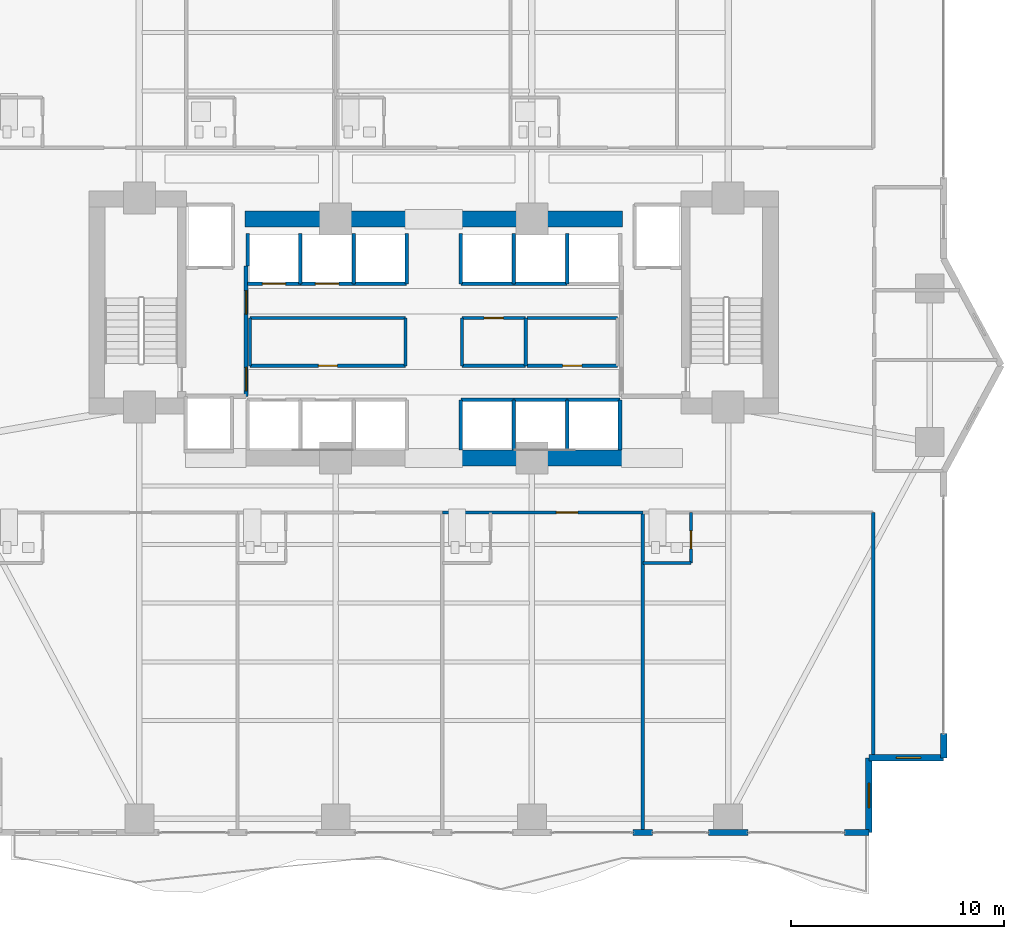
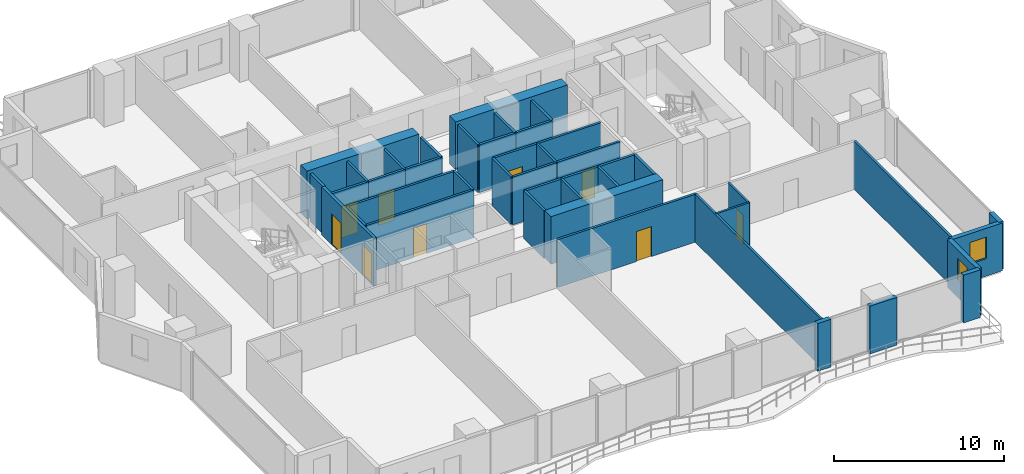
# One storey, part 21 of 28: 44 walls, 9 doors, 2 windows, 11 openings.
"""IFC4 building model written with IfcOpenShell, lengths in metres."""

from ifc_helpers import new_model, si_unit, direction, frame, frame_2d, origin, place, context, subcontext, project, spatial, rectangle, extrude, material, layer, layer_set, type_object, element, fill, save


model = new_model("IFC4")

# Units and contexts
model_context = context("Model", 3, precision=1e-05, world=origin(), true_north=direction((0.0, 1.0)))
body_context = subcontext(model_context, "Body", "Model", "MODEL_VIEW")
ifc_project = project(units=[si_unit("LENGTHUNIT", "METRE"), si_unit("AREAUNIT", "SQUARE_METRE"), si_unit("VOLUMEUNIT", "CUBIC_METRE"), si_unit("PLANEANGLEUNIT", "RADIAN"), si_unit("MASSUNIT", "GRAM", prefix="KILO")], contexts=[model_context])

# Site, building, storey
site_placement = place(None, origin())
site = spatial("IfcSite", under=ifc_project, at=site_placement, CompositionType="ELEMENT")
building_placement = place(site_placement, origin())
building = spatial("IfcBuilding", under=site, at=building_placement, Name="Zuhayl Quay Hotel", CompositionType="ELEMENT")
storey_placement = place(building_placement, frame((0.0, 0.0, 121.199951171875)))
storey = spatial("IfcBuildingStorey", under=building, at=storey_placement, Name="L30", CompositionType="ELEMENT", Elevation=121.199951171875)

# Walls
ifc_material_1 = material(Name="Concrete C60/75", Category="concrete")
ifc_layer_1 = layer(ifc_material_1, 0.75, Name="Concrete C60/75", Category="concrete")
ifc_layer_set_1 = layer_set([ifc_layer_1], Name="Concrete C60/75")
wall_type_1 = type_object("IfcWallType", Name="WL_CORE_750", PredefinedType="SHEAR", material=ifc_layer_set_1)
for number, where, z_axis, x_axis, name in (
    (1, (1.25, 2.14990234375, 0.0), (0.0, 0.0, 1.0), (1.0, 0.0, 0.0), "L30 Core Shear Wall CW_SC_E"),
    (2, (-8.85009765625, 13.35009765625, 0.0), (0.0, 0.0, 1.0), (1.0, 0.0, 0.0), "L30 Core Shear Wall CW_NC_W"),
    (3, (1.25, 13.35009765625, 0.0), (0.0, 0.0, 1.0), (1.0, 0.0, 0.0), "L30 Core Shear Wall CW_NC_E"),
):
    element("IfcWall", number, at=place(storey_placement, frame(where, z_axis=z_axis, x_axis=x_axis)), inside=storey, type_object=wall_type_1, Name=name, PredefinedType="SHEAR", context=body_context, shape_type="SweptSolid", body=[
        extrude(rectangle(XDim=7.60009765625, YDim=0.75, at=frame_2d((3.800048828125, 0.0))), origin(), (0.0, 0.0, 1.0), 3.429931640625),
    ])
ifc_material_2 = material(Name="Precast concrete C45/55", Category="concrete")
ifc_layer_2 = layer(ifc_material_2, 0.300048828125, Name="Precast concrete C45/55", Category="concrete")
ifc_layer_set_2 = layer_set([ifc_layer_2], Name="Precast concrete C45/55")
wall_type_2 = type_object("IfcWallType", Name="WL_EXT_300", PredefinedType="STANDARD", material=ifc_layer_set_2)
wall_1_placement = place(storey_placement, frame((23.89990234375, -10.75, 0.0), z_axis=(0.0, 0.0, 1.0), x_axis=(0.0, -1.0, 0.0)))
element("IfcWall", 4, at=wall_1_placement, inside=storey, type_object=wall_type_2, Name="L30 Exterior Precast Wall ENV_L30_E14_EW2", PredefinedType="STANDARD", context=body_context, shape_type="SweptSolid", body=[
    extrude(rectangle(XDim=1.14990234375, YDim=0.300048828125, at=frame_2d((0.574951171875, 0.0))), origin(), (0.0, 0.0, 1.0), 3.429931640625),
])

# Wall, opening, window
wall_2_placement = place(storey_placement, frame((23.89990234375, -11.89990234375, 0.0), z_axis=(0.0, 0.0, 1.0), x_axis=(-1.0, 0.0, 0.0)))
wall_2 = element("IfcWall", 5, at=wall_2_placement, inside=storey, type_object=wall_type_2, Name="L30 Exterior Precast Wall ENV_L30_EW15", PredefinedType="STANDARD", context=body_context, shape_type="SweptSolid", body=[
    extrude(rectangle(XDim=3.5, YDim=0.300048828125, at=frame_2d((1.75, 0.0))), origin(), (0.0, 0.0, 1.0), 3.429931640625),
])
opening_1_placement = place(wall_2_placement, frame((1.06494140625, 0.0, 1.25)))
opening_1 = element("IfcOpeningElement", 6, at=opening_1_placement, cuts=wall_2, Name="Opening W01N", PredefinedType="OPENING", context=body_context, shape_type="SweptSolid", body=[
    extrude(rectangle(XDim=1.14990234375, YDim=1.550048828125, at=frame_2d((0.574951171875, 0.77490234375))), frame((0.0, 0.159912109375, 0.0), z_axis=(0.0, -1.0, 0.0), x_axis=(1.0, 0.0, 0.0)), (0.0, 0.0, 1.0), 0.320068359375),
])
ifc_material_3 = material(Name="Dark Ceramic-Fritted Solar Glass", Category="glass")
window_type = type_object("IfcWindowType", Name="WN_NOTCH_1350", PartitioningType="SINGLE_PANEL", PredefinedType="WINDOW", material=ifc_material_3)
window_1_placement = place(opening_1_placement, origin())
window_1 = element("IfcWindow", 7, at=window_1_placement, inside=storey, type_object=window_type, Name="L30 Corner Notch Window 15", OverallHeight=1.550048828125, OverallWidth=1.14990234375, PartitioningType="SINGLE_PANEL", PredefinedType="WINDOW", context=body_context, shape_type="SweptSolid", body=[
    extrude(rectangle(XDim=1.14990234375, YDim=1.550048828125, at=frame_2d((0.574951171875, 0.77490234375))), frame((0.0, 0.030029296875, 0.0), z_axis=(0.0, -1.0, 0.0), x_axis=(1.0, 0.0, 0.0)), (0.0, 0.0, 1.0), 0.06005859375),
])
fill(opening_1, window_1)

wall_3_placement = place(storey_placement, frame((20.39990234375, -11.89990234375, 0.0), z_axis=(0.0, 0.0, 1.0), x_axis=(0.0, -1.0, 0.0)))
wall_3 = element("IfcWall", 8, at=wall_3_placement, inside=storey, type_object=wall_type_2, Name="L30 Exterior Precast Wall ENV_L30_EW16", PredefinedType="STANDARD", context=body_context, shape_type="SweptSolid", body=[
    extrude(rectangle(XDim=3.5, YDim=0.300048828125, at=frame_2d((1.75, 0.0))), origin(), (0.0, 0.0, 1.0), 3.429931640625),
])
opening_2_placement = place(wall_3_placement, frame((1.18505859375, 0.0, 1.25)))
opening_2 = element("IfcOpeningElement", 9, at=opening_2_placement, cuts=wall_3, Name="Opening W01N", PredefinedType="OPENING", context=body_context, shape_type="SweptSolid", body=[
    extrude(rectangle(XDim=1.14990234375, YDim=1.550048828125, at=frame_2d((0.574951171875, 0.77490234375))), frame((0.0, 0.159912109375, 0.0), z_axis=(0.0, -1.0, 0.0), x_axis=(1.0, 0.0, 0.0)), (0.0, 0.0, 1.0), 0.320068359375),
])
window_2_placement = place(opening_2_placement, origin())
window_2 = element("IfcWindow", 10, at=window_2_placement, inside=storey, type_object=window_type, Name="L30 Corner Notch Window 16", OverallHeight=1.550048828125, OverallWidth=1.14990234375, PartitioningType="SINGLE_PANEL", PredefinedType="WINDOW", context=body_context, shape_type="SweptSolid", body=[
    extrude(rectangle(XDim=1.14990234375, YDim=1.550048828125, at=frame_2d((0.574951171875, 0.77490234375))), frame((0.0, 0.030029296875, 0.0), z_axis=(0.0, -1.0, 0.0), x_axis=(1.0, 0.0, 0.0)), (0.0, 0.0, 1.0), 0.06005859375),
])
fill(opening_2, window_2)

# Walls
wall_4_placement = place(storey_placement, frame((20.39990234375, -15.39990234375, 0.0), z_axis=(0.0, 0.0, 1.0), x_axis=(-1.0, 0.0, 0.0)))
element("IfcWall", 11, at=wall_4_placement, inside=storey, type_object=wall_type_2, Name="L30 Exterior Precast Wall ENV_L30_S_EW1", PredefinedType="STANDARD", context=body_context, shape_type="SweptSolid", body=[
    extrude(rectangle(XDim=1.14990234375, YDim=0.300048828125, at=frame_2d((0.574951171875, 0.0))), origin(), (0.0, 0.0, 1.0), 3.429931640625),
])
wall_5_placement = place(storey_placement, frame((14.719970703125, -15.39990234375, 0.0), z_axis=(0.0, 0.0, 1.0), x_axis=(-1.0, 0.0, 0.0)))
element("IfcWall", 12, at=wall_5_placement, inside=storey, type_object=wall_type_2, Name="L30 Exterior Precast Wall ENV_L30_S_EW2", PredefinedType="STANDARD", context=body_context, shape_type="SweptSolid", body=[
    extrude(rectangle(XDim=1.840087890625, YDim=0.300048828125, at=frame_2d((0.919921875, 0.0))), origin(), (0.0, 0.0, 1.0), 3.429931640625),
])
wall_6_placement = place(storey_placement, frame((10.25, -15.39990234375, 0.0), z_axis=(0.0, 0.0, 1.0), x_axis=(-1.0, 0.0, 0.0)))
element("IfcWall", 13, at=wall_6_placement, inside=storey, type_object=wall_type_2, Name="L30 Exterior Precast Wall ENV_L30_S_EW3", PredefinedType="STANDARD", context=body_context, shape_type="SweptSolid", body=[
    extrude(rectangle(XDim=0.89990234375, YDim=0.300048828125, at=frame_2d((0.449951171875, 0.0))), origin(), (0.0, 0.0, 1.0), 3.429931640625),
])

# Wall, opening, door
ifc_material_4 = material(Name="Acoustic Gypsum Partition STC-58")
ifc_layer_3 = layer(ifc_material_4, 0.14990234375, Name="Acoustic Gypsum Partition STC-58")
ifc_layer_set_3 = layer_set([ifc_layer_3], Name="Acoustic Gypsum Partition STC-58")
wall_type_3 = type_object("IfcWallType", Name="WL_PART_150", PredefinedType="PARTITIONING", material=ifc_layer_set_3)
wall_7_placement = place(storey_placement, frame((-8.610107421875, 6.47998046875, 0.0), z_axis=(0.0, 0.0, 1.0), x_axis=(1.0, 0.0, 0.0)))
wall_7 = element("IfcWall", 14, at=wall_7_placement, inside=storey, type_object=wall_type_3, Name="L30 Partition IW_L30_CORE_EL_S", PredefinedType="PARTITIONING", context=body_context, shape_type="SweptSolid", body=[
    extrude(rectangle(XDim=7.2900390625, YDim=0.14990234375, at=frame_2d((3.64501953125, 0.0))), origin(), (0.0, 0.0, 1.0), 3.429931640625),
])
opening_3_placement = place(wall_7_placement, frame((3.195068359375, 0.0, 0.0)))
opening_3 = element("IfcOpeningElement", 15, at=opening_3_placement, cuts=wall_7, Name="Opening D06", PredefinedType="OPENING", context=body_context, shape_type="SweptSolid", body=[
    extrude(rectangle(XDim=0.89990234375, YDim=2.14990234375, at=frame_2d((0.449951171875, 1.074951171875))), frame((0.0, 0.0849609375, 0.0), z_axis=(0.0, -1.0, 0.0), x_axis=(1.0, 0.0, 0.0)), (0.0, 0.0, 1.0), 0.169921875),
])
ifc_material_5 = material(Name="Steel ASTM A992 Grade 50", Category="steel")
door_type_1 = type_object("IfcDoorType", Name="DR_INT_900", OperationType="NOTDEFINED", PredefinedType="DOOR", material=ifc_material_5)
door_1_placement = place(opening_3_placement, origin())
door_1 = element("IfcDoor", 16, at=door_1_placement, inside=storey, type_object=door_type_1, Name="L30 Floor Electrical Plant Room Door", OperationType="SINGLE_SWING_LEFT", OverallHeight=2.14990234375, OverallWidth=0.89990234375, PredefinedType="DOOR", context=body_context, shape_type="SweptSolid", body=[
    extrude(rectangle(XDim=0.89990234375, YDim=2.14990234375, at=frame_2d((0.449951171875, 1.074951171875))), frame((0.0, 0.02490234375, 0.0), z_axis=(0.0, -1.0, 0.0), x_axis=(1.0, 0.0, 0.0)), (0.0, 0.0, 1.0), 0.050048828125),
])
fill(opening_3, door_1)

wall_8_placement = place(storey_placement, frame((1.320068359375, 8.719970703125, 0.0), z_axis=(0.0, 0.0, 1.0), x_axis=(1.0, 0.0, 0.0)))
wall_8 = element("IfcWall", 17, at=wall_8_placement, inside=storey, type_object=wall_type_3, Name="L30 Partition IW_L30_CORE_IT_N", PredefinedType="PARTITIONING", context=body_context, shape_type="SweptSolid", body=[
    extrude(rectangle(XDim=2.989990234375, YDim=0.14990234375, at=frame_2d((1.4951171875, 0.0))), origin(), (0.0, 0.0, 1.0), 3.429931640625),
])
opening_4_placement = place(wall_8_placement, frame((1.044921875, 0.0, 0.0)))
opening_4 = element("IfcOpeningElement", 18, at=opening_4_placement, cuts=wall_8, Name="Opening D06", PredefinedType="OPENING", context=body_context, shape_type="SweptSolid", body=[
    extrude(rectangle(XDim=0.89990234375, YDim=2.14990234375, at=frame_2d((0.449951171875, 1.074951171875))), frame((0.0, 0.0849609375, 0.0), z_axis=(0.0, -1.0, 0.0), x_axis=(1.0, 0.0, 0.0)), (0.0, 0.0, 1.0), 0.169921875),
])
door_2_placement = place(opening_4_placement, origin())
door_2 = element("IfcDoor", 19, at=door_2_placement, inside=storey, type_object=door_type_1, Name="L30 Telecom Closet Door", OperationType="SINGLE_SWING_RIGHT", OverallHeight=2.14990234375, OverallWidth=0.89990234375, PredefinedType="DOOR", context=body_context, shape_type="SweptSolid", body=[
    extrude(rectangle(XDim=0.89990234375, YDim=2.14990234375, at=frame_2d((0.449951171875, 1.074951171875))), frame((0.0, 0.02490234375, 0.0), z_axis=(0.0, -1.0, 0.0), x_axis=(1.0, 0.0, 0.0)), (0.0, 0.0, 1.0), 0.050048828125),
])
fill(opening_4, door_2)

wall_9_placement = place(storey_placement, frame((4.3701171875, 6.47998046875, 0.0), z_axis=(0.0, 0.0, 1.0), x_axis=(1.0, 0.0, 0.0)))
wall_9 = element("IfcWall", 20, at=wall_9_placement, inside=storey, type_object=wall_type_3, Name="L30 Partition IW_L30_CORE_LN_S", PredefinedType="PARTITIONING", context=body_context, shape_type="SweptSolid", body=[
    extrude(rectangle(XDim=4.239990234375, YDim=0.14990234375, at=frame_2d((2.1201171875, 0.0))), origin(), (0.0, 0.0, 1.0), 3.429931640625),
])
opening_5_placement = place(wall_9_placement, frame((1.669921875, 0.0, 0.0)))
opening_5 = element("IfcOpeningElement", 21, at=opening_5_placement, cuts=wall_9, Name="Opening D06", PredefinedType="OPENING", context=body_context, shape_type="SweptSolid", body=[
    extrude(rectangle(XDim=0.89990234375, YDim=2.14990234375, at=frame_2d((0.449951171875, 1.074951171875))), frame((0.0, 0.0849609375, 0.0), z_axis=(0.0, -1.0, 0.0), x_axis=(1.0, 0.0, 0.0)), (0.0, 0.0, 1.0), 0.169921875),
])
door_3_placement = place(opening_5_placement, origin())
door_3 = element("IfcDoor", 22, at=door_3_placement, inside=storey, type_object=door_type_1, Name="L30 Core Linen Store Door", OperationType="SINGLE_SWING_LEFT", OverallHeight=2.14990234375, OverallWidth=0.89990234375, PredefinedType="DOOR", context=body_context, shape_type="SweptSolid", body=[
    extrude(rectangle(XDim=0.89990234375, YDim=2.14990234375, at=frame_2d((0.449951171875, 1.074951171875))), frame((0.0, 0.02490234375, 0.0), z_axis=(0.0, -1.0, 0.0), x_axis=(1.0, 0.0, 0.0)), (0.0, 0.0, 1.0), 0.050048828125),
])
fill(opening_5, door_3)

# Walls
wall_10_placement = place(storey_placement, frame((-8.610107421875, 8.719970703125, 0.0), z_axis=(0.0, 0.0, 1.0), x_axis=(1.0, 0.0, 0.0)))
element("IfcWall", 23, at=wall_10_placement, inside=storey, type_object=wall_type_3, Name="L30 Partition IW_L30_CORE_EL_N", PredefinedType="PARTITIONING", context=body_context, shape_type="SweptSolid", body=[
    extrude(rectangle(XDim=7.2900390625, YDim=0.14990234375, at=frame_2d((3.64501953125, 0.0))), origin(), (0.0, 0.0, 1.0), 3.429931640625),
])
for number, where, z_axis, x_axis, name in (
    (24, (-8.610107421875, 6.47998046875, 0.0), (0.0, 0.0, 1.0), (0.0, 1.0, 0.0), "L30 Partition IW_L30_CORE_EL_W"),
    (25, (-1.320068359375, 6.47998046875, 0.0), (0.0, 0.0, 1.0), (0.0, 1.0, 0.0), "L30 Partition IW_L30_CORE_EL_E"),
):
    element("IfcWall", number, at=place(storey_placement, frame(where, z_axis=z_axis, x_axis=x_axis)), inside=storey, type_object=wall_type_3, Name=name, PredefinedType="PARTITIONING", context=body_context, shape_type="SweptSolid", body=[
        extrude(rectangle(XDim=2.239990234375, YDim=0.14990234375, at=frame_2d((1.1201171875, 0.0))), origin(), (0.0, 0.0, 1.0), 3.429931640625),
    ])
wall_11_placement = place(storey_placement, frame((1.320068359375, 6.47998046875, 0.0), z_axis=(0.0, 0.0, 1.0), x_axis=(1.0, 0.0, 0.0)))
element("IfcWall", 26, at=wall_11_placement, inside=storey, type_object=wall_type_3, Name="L30 Partition IW_L30_CORE_IT_S", PredefinedType="PARTITIONING", context=body_context, shape_type="SweptSolid", body=[
    extrude(rectangle(XDim=2.989990234375, YDim=0.14990234375, at=frame_2d((1.4951171875, 0.0))), origin(), (0.0, 0.0, 1.0), 3.429931640625),
])
for number, where, z_axis, x_axis, name in (
    (27, (1.320068359375, 6.47998046875, 0.0), (0.0, 0.0, 1.0), (0.0, 1.0, 0.0), "L30 Partition IW_L30_CORE_IT_W"),
    (28, (4.31005859375, 6.47998046875, 0.0), (0.0, 0.0, 1.0), (0.0, 1.0, 0.0), "L30 Partition IW_L30_CORE_IT_E"),
):
    element("IfcWall", number, at=place(storey_placement, frame(where, z_axis=z_axis, x_axis=x_axis)), inside=storey, type_object=wall_type_3, Name=name, PredefinedType="PARTITIONING", context=body_context, shape_type="SweptSolid", body=[
        extrude(rectangle(XDim=2.239990234375, YDim=0.14990234375, at=frame_2d((1.1201171875, 0.0))), origin(), (0.0, 0.0, 1.0), 3.429931640625),
    ])
wall_12_placement = place(storey_placement, frame((4.3701171875, 8.719970703125, 0.0), z_axis=(0.0, 0.0, 1.0), x_axis=(1.0, 0.0, 0.0)))
element("IfcWall", 29, at=wall_12_placement, inside=storey, type_object=wall_type_3, Name="L30 Partition IW_L30_CORE_LN_N", PredefinedType="PARTITIONING", context=body_context, shape_type="SweptSolid", body=[
    extrude(rectangle(XDim=4.239990234375, YDim=0.14990234375, at=frame_2d((2.1201171875, 0.0))), origin(), (0.0, 0.0, 1.0), 3.429931640625),
])
wall_13_placement = place(storey_placement, frame((9.800048828125, -15.320068359375, 0.0), z_axis=(0.0, 0.0, 1.0), x_axis=(0.0, 1.0, 0.0)))
element("IfcWall", 30, at=wall_13_placement, inside=storey, type_object=wall_type_3, Name="L30 Partition IW_L30_SU03_E", PredefinedType="PARTITIONING", context=body_context, shape_type="SweptSolid", body=[
    extrude(rectangle(XDim=14.920166015625, YDim=0.14990234375, at=frame_2d((7.4599609375, 0.0))), origin(), (0.0, 0.0, 1.0), 3.429931640625),
])
wall_14_placement = place(storey_placement, frame((20.60009765625, -11.89990234375, 0.0), z_axis=(0.0, 0.0, 1.0), x_axis=(0.0, 1.0, 0.0)))
element("IfcWall", 31, at=wall_14_placement, inside=storey, type_object=wall_type_3, Name="L30 Partition IW_L30_SU04_E", PredefinedType="PARTITIONING", context=body_context, shape_type="SweptSolid", body=[
    extrude(rectangle(XDim=11.5, YDim=0.14990234375, at=frame_2d((5.75, 0.0))), origin(), (0.0, 0.0, 1.0), 3.429931640625),
])

# Wall, opening, door
ifc_layer_4 = layer(ifc_material_4, 0.159912109375, Name="Acoustic Gypsum Partition STC-58")
ifc_layer_set_4 = layer_set([ifc_layer_4], Name="Acoustic Gypsum Partition STC-58")
wall_type_4 = type_object("IfcWallType", Name="WL_PART_CORR_160", PredefinedType="PARTITIONING", material=ifc_layer_set_4)
wall_15_placement = place(storey_placement, frame((0.39990234375, -0.39990234375, 0.0), z_axis=(0.0, 0.0, 1.0), x_axis=(1.0, 0.0, 0.0)))
wall_15 = element("IfcWall", 32, at=wall_15_placement, inside=storey, type_object=wall_type_4, Name="L30 Partition IW_L30_SU03_COR", PredefinedType="PARTITIONING", context=body_context, shape_type="SweptSolid", body=[
    extrude(rectangle(XDim=9.400146484375, YDim=0.159912109375, at=frame_2d((4.7001953125, 0.0))), origin(), (0.0, 0.0, 1.0), 3.429931640625),
])
opening_6_placement = place(wall_15_placement, frame((5.35009765625, 0.0, 0.0)))
opening_6 = element("IfcOpeningElement", 33, at=opening_6_placement, cuts=wall_15, Name="Opening D03L", PredefinedType="OPENING", context=body_context, shape_type="SweptSolid", body=[
    extrude(rectangle(XDim=1.0, YDim=2.14990234375, at=frame_2d((0.5, 1.074951171875))), frame((0.0, 0.08984375, 0.0), z_axis=(0.0, -1.0, 0.0), x_axis=(1.0, 0.0, 0.0)), (0.0, 0.0, 1.0), 0.179931640625),
])
ifc_material_6 = material(Name="Solid Walnut Acoustic Fire Door")
door_type_2 = type_object("IfcDoorType", Name="DR_SUITE_1000", OperationType="NOTDEFINED", PredefinedType="DOOR", material=ifc_material_6)
door_4_placement = place(opening_6_placement, origin())
door_4 = element("IfcDoor", 34, at=door_4_placement, inside=storey, type_object=door_type_2, Name="L30 City-View Junior Suite L30-03 Entrance Door", OperationType="SINGLE_SWING_RIGHT", OverallHeight=2.14990234375, OverallWidth=1.0, PredefinedType="DOOR", context=body_context, shape_type="SweptSolid", body=[
    extrude(rectangle(XDim=1.0, YDim=2.14990234375, at=frame_2d((0.5, 1.074951171875))), frame((0.0, 0.02490234375, 0.0), z_axis=(0.0, -1.0, 0.0), x_axis=(1.0, 0.0, 0.0)), (0.0, 0.0, 1.0), 0.050048828125),
])
fill(opening_6, door_4)

ifc_material_7 = material(Name="Moisture-Resistant Sanitarychase Gypsum")
ifc_layer_5 = layer(ifc_material_7, 0.135009765625, Name="Moisture-Resistant Sanitarychase Gypsum")
ifc_layer_set_5 = layer_set([ifc_layer_5], Name="Moisture-Resistant Sanitarychase Gypsum")
wall_type_5 = type_object("IfcWallType", Name="WL_PART_PLUMB_150", PredefinedType="PLUMBINGWALL", material=ifc_layer_set_5)
wall_16_placement = place(storey_placement, frame((12.06005859375, -2.760009765625, 0.0), z_axis=(0.0, 0.0, 1.0), x_axis=(0.0, 1.0, 0.0)))
wall_16 = element("IfcWall", 35, at=wall_16_placement, inside=storey, type_object=wall_type_5, Name="L30 Partition IW_L30_SU04_BE", PredefinedType="PLUMBINGWALL", context=body_context, shape_type="SweptSolid", body=[
    extrude(rectangle(XDim=2.360107421875, YDim=0.135009765625, at=frame_2d((1.18017578125, 0.0))), origin(), (0.0, 0.0, 1.0), 3.429931640625),
])
opening_7_placement = place(wall_16_placement, frame((0.64990234375, 0.0, 0.0)))
opening_7 = element("IfcOpeningElement", 36, at=opening_7_placement, cuts=wall_16, Name="Opening D04", PredefinedType="OPENING", context=body_context, shape_type="SweptSolid", body=[
    extrude(rectangle(XDim=0.85009765625, YDim=2.10009765625, at=frame_2d((0.425048828125, 1.050048828125))), frame((0.0, 0.077392578125, 0.0), z_axis=(0.0, -1.0, 0.0), x_axis=(1.0, 0.0, 0.0)), (0.0, 0.0, 1.0), 0.155029296875),
])
ifc_material_8 = material(Name="Moisture-Resistant Walnut Veneer")
door_type_3 = type_object("IfcDoorType", Name="DR_BATH_850", OperationType="NOTDEFINED", PredefinedType="DOOR", material=ifc_material_8)
door_5_placement = place(opening_7_placement, origin())
door_5 = element("IfcDoor", 37, at=door_5_placement, inside=storey, type_object=door_type_3, Name="L30 City-View Junior Suite L30-04 En-Suite Door", OperationType="SINGLE_SWING_LEFT", OverallHeight=2.10009765625, OverallWidth=0.85009765625, PredefinedType="DOOR", context=body_context, shape_type="SweptSolid", body=[
    extrude(rectangle(XDim=0.85009765625, YDim=2.10009765625, at=frame_2d((0.425048828125, 1.050048828125))), frame((0.0, 0.02490234375, 0.0), z_axis=(0.0, -1.0, 0.0), x_axis=(1.0, 0.0, 0.0)), (0.0, 0.0, 1.0), 0.050048828125),
])
fill(opening_7, door_5)

# Wall
wall_17_placement = place(storey_placement, frame((9.800048828125, -2.760009765625, 0.0), z_axis=(0.0, 0.0, 1.0), x_axis=(1.0, 0.0, 0.0)))
element("IfcWall", 38, at=wall_17_placement, inside=storey, type_object=wall_type_5, Name="L30 Partition IW_L30_SU04_BS", PredefinedType="PLUMBINGWALL", context=body_context, shape_type="SweptSolid", body=[
    extrude(rectangle(XDim=2.260009765625, YDim=0.135009765625, at=frame_2d((1.1298828125, 0.0))), origin(), (0.0, 0.0, 1.0), 3.429931640625),
])

# Wall, opening, door
ifc_material_9 = material(Name="Gypsum Fireboard Assembly EI-90")
ifc_layer_6 = layer(ifc_material_9, 0.1650390625, Name="Gypsum Fireboard Assembly EI-90")
ifc_layer_set_6 = layer_set([ifc_layer_6], Name="Gypsum Fireboard Assembly EI-90")
wall_type_6 = type_object("IfcWallType", Name="WL_PART_SHAFT_160", PredefinedType="PARTITIONING", material=ifc_layer_set_6)
wall_18_placement = place(storey_placement, frame((-8.72998046875, 10.320068359375, 0.0), z_axis=(0.0, 0.0, 1.0), x_axis=(1.0, 0.0, 0.0)))
wall_18 = element("IfcWall", 39, at=wall_18_placement, inside=storey, type_object=wall_type_6, Name="L30 Partition IW_L30_SH_LP3_F", PredefinedType="PARTITIONING", context=body_context, shape_type="SweptSolid", body=[
    extrude(rectangle(XDim=2.47998046875, YDim=0.1650390625, at=frame_2d((1.239990234375, 0.0))), origin(), (0.0, 0.0, 1.0), 3.429931640625),
])
opening_8_placement = place(wall_18_placement, frame((0.68994140625, 0.0, 0.0)))
opening_8 = element("IfcOpeningElement", 40, at=opening_8_placement, cuts=wall_18, Name="Opening LD1", PredefinedType="OPENING", context=body_context, shape_type="SweptSolid", body=[
    extrude(rectangle(XDim=1.10009765625, YDim=2.25, at=frame_2d((0.550048828125, 1.125))), frame((0.0, 0.092529296875, 0.0), z_axis=(0.0, -1.0, 0.0), x_axis=(1.0, 0.0, 0.0)), (0.0, 0.0, 1.0), 0.18505859375),
])
ifc_material_10 = material(Name="Brushed Stainless Steel", Category="steel")
door_type_4 = type_object("IfcDoorType", Name="DR_LIFT_PASS_1100", OperationType="SLIDING_TO_LEFT", PredefinedType="DOOR", material=ifc_material_10)
door_6_placement = place(opening_8_placement, origin())
door_6 = element("IfcDoor", 41, at=door_6_placement, inside=storey, type_object=door_type_4, Name="L30 Lift LP3 Sliding Landing Door", OperationType="SLIDING_TO_LEFT", OverallHeight=2.25, OverallWidth=1.10009765625, PredefinedType="DOOR", context=body_context, shape_type="SweptSolid", body=[
    extrude(rectangle(XDim=1.10009765625, YDim=2.25, at=frame_2d((0.550048828125, 1.125))), frame((0.0, 0.02490234375, 0.0), z_axis=(0.0, -1.0, 0.0), x_axis=(1.0, 0.0, 0.0)), (0.0, 0.0, 1.0), 0.050048828125),
])
fill(opening_8, door_6)

wall_19_placement = place(storey_placement, frame((-6.25, 10.320068359375, 0.0), z_axis=(0.0, 0.0, 1.0), x_axis=(1.0, 0.0, 0.0)))
wall_19 = element("IfcWall", 42, at=wall_19_placement, inside=storey, type_object=wall_type_6, Name="L30 Partition IW_L30_SH_LP4_F", PredefinedType="PARTITIONING", context=body_context, shape_type="SweptSolid", body=[
    extrude(rectangle(XDim=2.5, YDim=0.1650390625, at=frame_2d((1.25, 0.0))), origin(), (0.0, 0.0, 1.0), 3.429931640625),
])
opening_9_placement = place(wall_19_placement, frame((0.699951171875, 0.0, 0.0)))
opening_9 = element("IfcOpeningElement", 43, at=opening_9_placement, cuts=wall_19, Name="Opening LD1", PredefinedType="OPENING", context=body_context, shape_type="SweptSolid", body=[
    extrude(rectangle(XDim=1.10009765625, YDim=2.25, at=frame_2d((0.550048828125, 1.125))), frame((0.0, 0.092529296875, 0.0), z_axis=(0.0, -1.0, 0.0), x_axis=(1.0, 0.0, 0.0)), (0.0, 0.0, 1.0), 0.18505859375),
])
door_7_placement = place(opening_9_placement, origin())
door_7 = element("IfcDoor", 44, at=door_7_placement, inside=storey, type_object=door_type_4, Name="L30 Lift LP4 Sliding Landing Door", OperationType="SLIDING_TO_LEFT", OverallHeight=2.25, OverallWidth=1.10009765625, PredefinedType="DOOR", context=body_context, shape_type="SweptSolid", body=[
    extrude(rectangle(XDim=1.10009765625, YDim=2.25, at=frame_2d((0.550048828125, 1.125))), frame((0.0, 0.02490234375, 0.0), z_axis=(0.0, -1.0, 0.0), x_axis=(1.0, 0.0, 0.0)), (0.0, 0.0, 1.0), 0.050048828125),
])
fill(opening_9, door_7)

# Walls
wall_20_placement = place(storey_placement, frame((-8.72998046875, 11.14990234375, 0.0), z_axis=(0.0, 0.0, 1.0), x_axis=(0.0, 1.0, 0.0)))
element("IfcWall", 45, at=wall_20_placement, inside=storey, type_object=wall_type_6, Name="L30 Partition IW_L30_SH_LP3_W", PredefinedType="PARTITIONING", context=body_context, shape_type="SweptSolid", body=[
    extrude(rectangle(XDim=1.530029296875, YDim=0.1650390625, at=frame_2d((0.76513671875, 0.0))), origin(), (0.0, 0.0, 1.0), 3.429931640625),
])
for number, where, z_axis, x_axis, name in (
    (46, (-6.25, 10.320068359375, 0.0), (0.0, 0.0, 1.0), (0.0, 1.0, 0.0), "L30 Partition IW_L30_SH_LP3_E"),
    (47, (-3.75, 10.320068359375, 0.0), (0.0, 0.0, 1.0), (0.0, 1.0, 0.0), "L30 Partition IW_L30_SH_LP4_E"),
):
    element("IfcWall", number, at=place(storey_placement, frame(where, z_axis=z_axis, x_axis=x_axis)), inside=storey, type_object=wall_type_6, Name=name, PredefinedType="PARTITIONING", context=body_context, shape_type="SweptSolid", body=[
        extrude(rectangle(XDim=2.35986328125, YDim=0.1650390625, at=frame_2d((1.179931640625, 0.0))), origin(), (0.0, 0.0, 1.0), 3.429931640625),
    ])
wall_21_placement = place(storey_placement, frame((1.27001953125, 4.8798828125, 0.0), z_axis=(0.0, 0.0, 1.0), x_axis=(1.0, 0.0, 0.0)))
element("IfcWall", 48, at=wall_21_placement, inside=storey, type_object=wall_type_6, Name="L30 Partition IW_L30_SH_MP2_F", PredefinedType="PARTITIONING", context=body_context, shape_type="SweptSolid", body=[
    extrude(rectangle(XDim=2.47998046875, YDim=0.1650390625, at=frame_2d((1.239990234375, 0.0))), origin(), (0.0, 0.0, 1.0), 3.429931640625),
])
for number, where, z_axis, x_axis, name in (
    (49, (1.27001953125, 2.52001953125, 0.0), (0.0, 0.0, 1.0), (0.0, 1.0, 0.0), "L30 Partition IW_L30_SH_MP2_W"),
    (50, (3.75, 2.52001953125, 0.0), (0.0, 0.0, 1.0), (0.0, 1.0, 0.0), "L30 Partition IW_L30_SH_MP2_E"),
):
    element("IfcWall", number, at=place(storey_placement, frame(where, z_axis=z_axis, x_axis=x_axis)), inside=storey, type_object=wall_type_6, Name=name, PredefinedType="PARTITIONING", context=body_context, shape_type="SweptSolid", body=[
        extrude(rectangle(XDim=2.35986328125, YDim=0.1650390625, at=frame_2d((1.179931640625, 0.0))), origin(), (0.0, 0.0, 1.0), 3.429931640625),
    ])
wall_22_placement = place(storey_placement, frame((-3.75, 10.320068359375, 0.0), z_axis=(0.0, 0.0, 1.0), x_axis=(1.0, 0.0, 0.0)))
element("IfcWall", 51, at=wall_22_placement, inside=storey, type_object=wall_type_6, Name="L30 Partition IW_L30_SH_MP3_F", PredefinedType="PARTITIONING", context=body_context, shape_type="SweptSolid", body=[
    extrude(rectangle(XDim=2.47998046875, YDim=0.1650390625, at=frame_2d((1.239990234375, 0.0))), origin(), (0.0, 0.0, 1.0), 3.429931640625),
])
wall_23_placement = place(storey_placement, frame((-1.27001953125, 10.320068359375, 0.0), z_axis=(0.0, 0.0, 1.0), x_axis=(0.0, 1.0, 0.0)))
element("IfcWall", 52, at=wall_23_placement, inside=storey, type_object=wall_type_6, Name="L30 Partition IW_L30_SH_MP3_E", PredefinedType="PARTITIONING", context=body_context, shape_type="SweptSolid", body=[
    extrude(rectangle(XDim=2.35986328125, YDim=0.1650390625, at=frame_2d((1.179931640625, 0.0))), origin(), (0.0, 0.0, 1.0), 3.429931640625),
])
wall_24_placement = place(storey_placement, frame((1.27001953125, 10.320068359375, 0.0), z_axis=(0.0, 0.0, 1.0), x_axis=(1.0, 0.0, 0.0)))
element("IfcWall", 53, at=wall_24_placement, inside=storey, type_object=wall_type_6, Name="L30 Partition IW_L30_SH_MP4_F", PredefinedType="PARTITIONING", context=body_context, shape_type="SweptSolid", body=[
    extrude(rectangle(XDim=2.47998046875, YDim=0.1650390625, at=frame_2d((1.239990234375, 0.0))), origin(), (0.0, 0.0, 1.0), 3.429931640625),
])
for number, where, z_axis, x_axis, name in (
    (54, (1.27001953125, 10.320068359375, 0.0), (0.0, 0.0, 1.0), (0.0, 1.0, 0.0), "L30 Partition IW_L30_SH_MP4_W"),
    (55, (3.75, 10.320068359375, 0.0), (0.0, 0.0, 1.0), (0.0, 1.0, 0.0), "L30 Partition IW_L30_SH_MP4_E"),
):
    element("IfcWall", number, at=place(storey_placement, frame(where, z_axis=z_axis, x_axis=x_axis)), inside=storey, type_object=wall_type_6, Name=name, PredefinedType="PARTITIONING", context=body_context, shape_type="SweptSolid", body=[
        extrude(rectangle(XDim=2.35986328125, YDim=0.1650390625, at=frame_2d((1.179931640625, 0.0))), origin(), (0.0, 0.0, 1.0), 3.429931640625),
    ])
wall_25_placement = place(storey_placement, frame((3.75, 4.8798828125, 0.0), z_axis=(0.0, 0.0, 1.0), x_axis=(1.0, 0.0, 0.0)))
element("IfcWall", 56, at=wall_25_placement, inside=storey, type_object=wall_type_6, Name="L30 Partition IW_L30_SH_HP1_F", PredefinedType="PARTITIONING", context=body_context, shape_type="SweptSolid", body=[
    extrude(rectangle(XDim=2.5, YDim=0.1650390625, at=frame_2d((1.25, 0.0))), origin(), (0.0, 0.0, 1.0), 3.429931640625),
])
wall_26_placement = place(storey_placement, frame((6.25, 2.52001953125, 0.0), z_axis=(0.0, 0.0, 1.0), x_axis=(0.0, 1.0, 0.0)))
element("IfcWall", 57, at=wall_26_placement, inside=storey, type_object=wall_type_6, Name="L30 Partition IW_L30_SH_HP1_E", PredefinedType="PARTITIONING", context=body_context, shape_type="SweptSolid", body=[
    extrude(rectangle(XDim=2.35986328125, YDim=0.1650390625, at=frame_2d((1.179931640625, 0.0))), origin(), (0.0, 0.0, 1.0), 3.429931640625),
])
wall_27_placement = place(storey_placement, frame((6.25, 4.8798828125, 0.0), z_axis=(0.0, 0.0, 1.0), x_axis=(1.0, 0.0, 0.0)))
element("IfcWall", 58, at=wall_27_placement, inside=storey, type_object=wall_type_6, Name="L30 Partition IW_L30_SH_HP2_F", PredefinedType="PARTITIONING", context=body_context, shape_type="SweptSolid", body=[
    extrude(rectangle(XDim=2.47998046875, YDim=0.1650390625, at=frame_2d((1.239990234375, 0.0))), origin(), (0.0, 0.0, 1.0), 3.429931640625),
])
wall_28_placement = place(storey_placement, frame((8.72998046875, 2.52001953125, 0.0), z_axis=(0.0, 0.0, 1.0), x_axis=(0.0, 1.0, 0.0)))
element("IfcWall", 59, at=wall_28_placement, inside=storey, type_object=wall_type_6, Name="L30 Partition IW_L30_SH_HP2_E", PredefinedType="PARTITIONING", context=body_context, shape_type="SweptSolid", body=[
    extrude(rectangle(XDim=2.35986328125, YDim=0.1650390625, at=frame_2d((1.179931640625, 0.0))), origin(), (0.0, 0.0, 1.0), 3.429931640625),
])
wall_29_placement = place(storey_placement, frame((3.75, 10.320068359375, 0.0), z_axis=(0.0, 0.0, 1.0), x_axis=(1.0, 0.0, 0.0)))
element("IfcWall", 60, at=wall_29_placement, inside=storey, type_object=wall_type_6, Name="L30 Partition IW_L30_SH_HP3_F", PredefinedType="PARTITIONING", context=body_context, shape_type="SweptSolid", body=[
    extrude(rectangle(XDim=2.5, YDim=0.1650390625, at=frame_2d((1.25, 0.0))), origin(), (0.0, 0.0, 1.0), 3.429931640625),
])
wall_30_placement = place(storey_placement, frame((6.25, 10.320068359375, 0.0), z_axis=(0.0, 0.0, 1.0), x_axis=(0.0, 1.0, 0.0)))
element("IfcWall", 61, at=wall_30_placement, inside=storey, type_object=wall_type_6, Name="L30 Partition IW_L30_SH_HP3_E", PredefinedType="PARTITIONING", context=body_context, shape_type="SweptSolid", body=[
    extrude(rectangle(XDim=2.35986328125, YDim=0.1650390625, at=frame_2d((1.179931640625, 0.0))), origin(), (0.0, 0.0, 1.0), 3.429931640625),
])

# Wall, openings, doors
ifc_material_11 = material(Name="Gypsum Fireboard Assembly EI-120")
ifc_layer_7 = layer(ifc_material_11, 0.199951171875, Name="Gypsum Fireboard Assembly EI-120")
ifc_layer_set_7 = layer_set([ifc_layer_7], Name="Gypsum Fireboard Assembly EI-120")
wall_type_7 = type_object("IfcWallType", Name="WL_PART_SHAFT_200", PredefinedType="PARTITIONING", material=ifc_layer_set_7)
wall_31_placement = place(storey_placement, frame((-8.800048828125, 5.050048828125, 0.0), z_axis=(0.0, 0.0, 1.0), x_axis=(0.0, 1.0, 0.0)))
wall_31 = element("IfcWall", 62, at=wall_31_placement, inside=storey, type_object=wall_type_7, Name="L30 Partition IW_L30_FSAE_W_E", PredefinedType="PARTITIONING", context=body_context, shape_type="SweptSolid", body=[
    extrude(rectangle(XDim=6.099853515625, YDim=0.199951171875, at=frame_2d((3.0498046875, 0.0))), origin(), (0.0, 0.0, 1.0), 3.429931640625),
])
opening_10_placement = place(wall_31_placement, frame((0.25, 0.0, 0.0)))
opening_10 = element("IfcOpeningElement", 63, at=opening_10_placement, cuts=wall_31, Name="Opening D02", PredefinedType="OPENING", context=body_context, shape_type="SweptSolid", body=[
    extrude(rectangle(XDim=1.10009765625, YDim=2.199951171875, at=frame_2d((0.550048828125, 1.10009765625))), frame((0.0, 0.10986328125, 0.0), z_axis=(0.0, -1.0, 0.0), x_axis=(1.0, 0.0, 0.0)), (0.0, 0.0, 1.0), 0.219970703125),
])
opening_11_placement = place(wall_31_placement, frame((3.85009765625, 0.0, 0.0)))
opening_11 = element("IfcOpeningElement", 64, at=opening_11_placement, cuts=wall_31, Name="Opening D02", PredefinedType="OPENING", context=body_context, shape_type="SweptSolid", body=[
    extrude(rectangle(XDim=1.10009765625, YDim=2.199951171875, at=frame_2d((0.550048828125, 1.10009765625))), frame((0.0, 0.10986328125, 0.0), z_axis=(0.0, -1.0, 0.0), x_axis=(1.0, 0.0, 0.0)), (0.0, 0.0, 1.0), 0.219970703125),
])
door_type_5 = type_object("IfcDoorType", Name="DR_FIRE_90_1100", OperationType="NOTDEFINED", PredefinedType="DOOR", material=ifc_material_5)
door_8_placement = place(opening_10_placement, origin())
door_8 = element("IfcDoor", 65, at=door_8_placement, inside=storey, type_object=door_type_5, Name="L30 FSAE Lobby West South Entry Door", OperationType="SINGLE_SWING_LEFT", OverallHeight=2.199951171875, OverallWidth=1.10009765625, PredefinedType="DOOR", context=body_context, shape_type="SweptSolid", body=[
    extrude(rectangle(XDim=1.10009765625, YDim=2.199951171875, at=frame_2d((0.550048828125, 1.10009765625))), frame((0.0, 0.02490234375, 0.0), z_axis=(0.0, -1.0, 0.0), x_axis=(1.0, 0.0, 0.0)), (0.0, 0.0, 1.0), 0.050048828125),
])
fill(opening_10, door_8)
door_9_placement = place(opening_11_placement, origin())
door_9 = element("IfcDoor", 66, at=door_9_placement, inside=storey, type_object=door_type_5, Name="L30 FSAE Lobby West North Entry Door", OperationType="SINGLE_SWING_RIGHT", OverallHeight=2.199951171875, OverallWidth=1.10009765625, PredefinedType="DOOR", context=body_context, shape_type="SweptSolid", body=[
    extrude(rectangle(XDim=1.10009765625, YDim=2.199951171875, at=frame_2d((0.550048828125, 1.10009765625))), frame((0.0, 0.02490234375, 0.0), z_axis=(0.0, -1.0, 0.0), x_axis=(1.0, 0.0, 0.0)), (0.0, 0.0, 1.0), 0.050048828125),
])
fill(opening_11, door_9)

save(model, "model.ifc")
